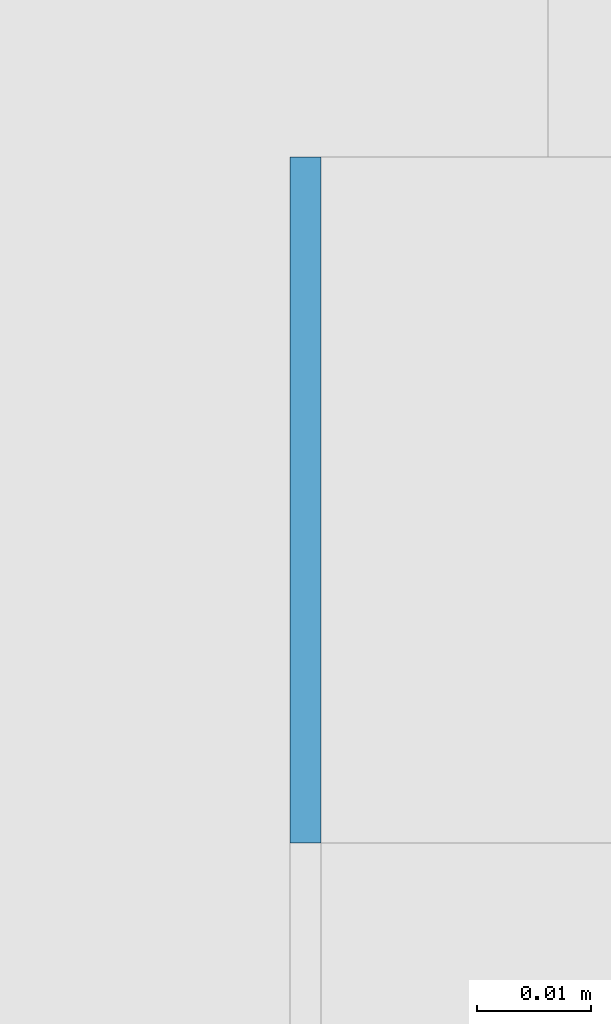
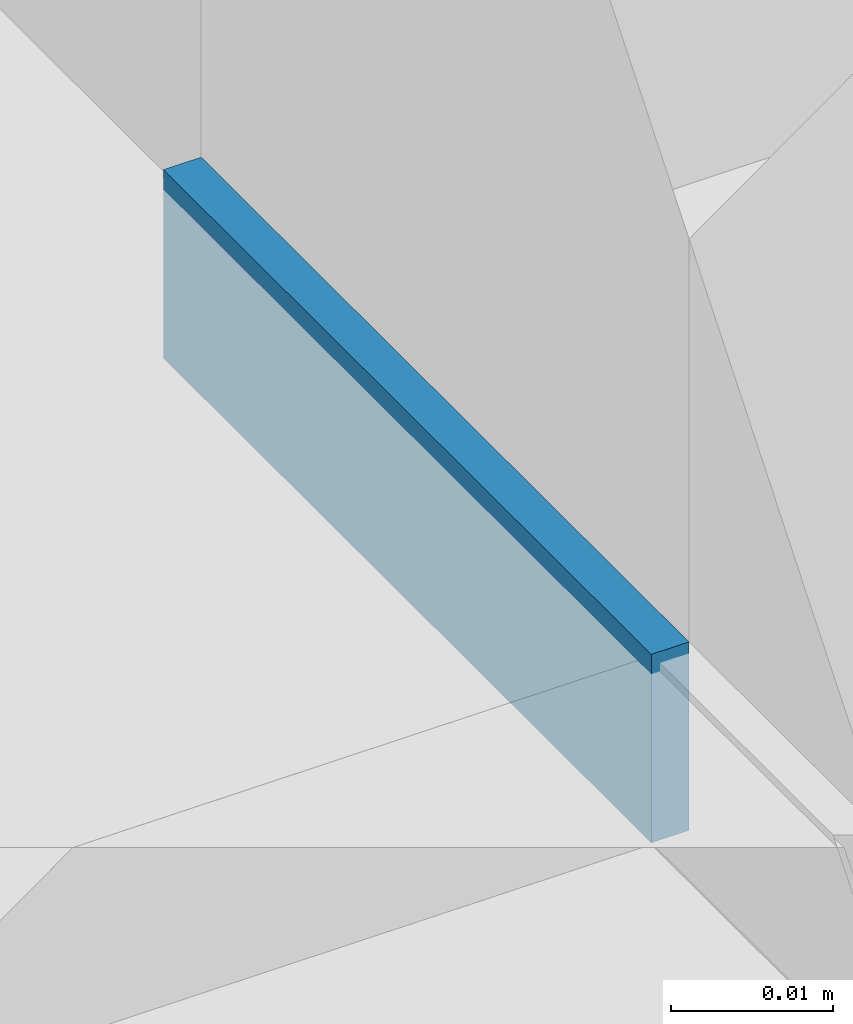
# One storey, part 542 of 646: 1 discrete accessory.
"""IFC4 building model written with IfcOpenShell, lengths in metres."""

from ifc_helpers import new_model, si_unit, direction, frame, origin, origin_2d, place, context, subcontext, project, spatial, rectangle, extrude, material, type_object, element, save


model = new_model("IFC4")

# Units and contexts
model_context = context("Model", 3, precision=1e-05, world=origin(), true_north=direction((0.0, 1.0)))
body_context = subcontext(model_context, "Body", "Model", "MODEL_VIEW")
ifc_project = project(units=[si_unit("LENGTHUNIT", "METRE"), si_unit("AREAUNIT", "SQUARE_METRE"), si_unit("VOLUMEUNIT", "CUBIC_METRE"), si_unit("PLANEANGLEUNIT", "RADIAN"), si_unit("MASSUNIT", "GRAM", prefix="KILO")], contexts=[model_context])

# Site, building, storey
site_placement = place(None, origin())
site = spatial("IfcSite", under=ifc_project, at=site_placement, CompositionType="ELEMENT")
building_placement = place(site_placement, origin())
building = spatial("IfcBuilding", under=site, at=building_placement, Name="Silverbay Arena", CompositionType="ELEMENT")
storey_placement = place(building_placement, frame((0.0, 0.0, 33.5)))
storey = spatial("IfcBuildingStorey", under=building, at=storey_placement, Name="L05", CompositionType="ELEMENT", Elevation=33.5)

# Discrete accessory
ifc_material = material(Name="Steel S355", Category="steel")
discrete_accessory_type = type_object("IfcDiscreteAccessoryType", Name="Steel bracket plate", PredefinedType="BRACKET", material=ifc_material)
discrete_accessory_placement = place(storey_placement, frame((207.128662109375, 90.030029296875, 4.0), z_axis=(0.0, 0.0, 1.0), x_axis=(1.0, 0.0, 0.0)))
element("IfcDiscreteAccessory", 1, at=discrete_accessory_placement, inside=storey, type_object=discrete_accessory_type, Name="Curtain wall packing plate", PredefinedType="BRACKET", context=body_context, shape_type="SweptSolid", body=[
    extrude(rectangle(XDim=0.002685546875, YDim=0.06005859375, at=origin_2d()), origin(), (0.0, 0.0, 1.0), 0.01416015625),
])

save(model, "model.ifc")
